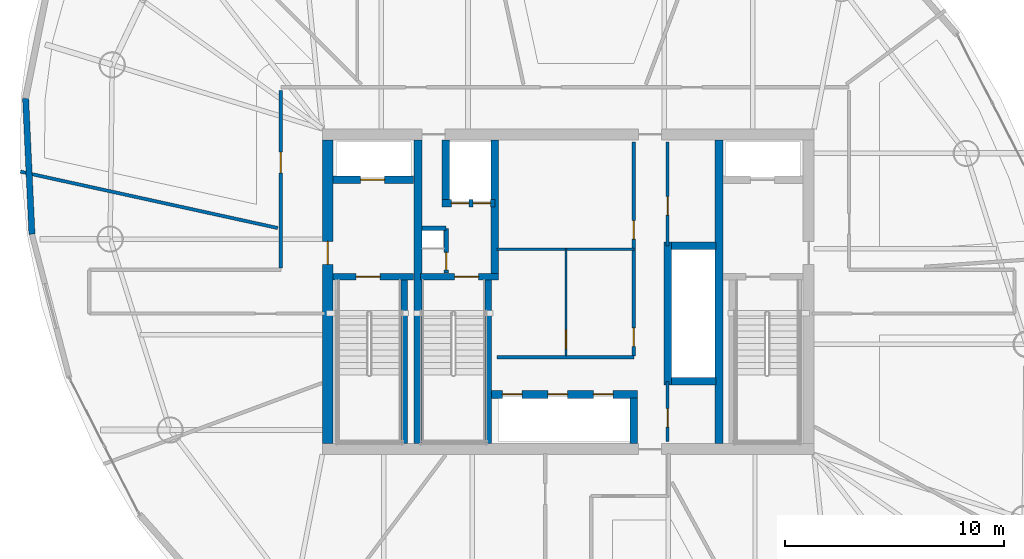
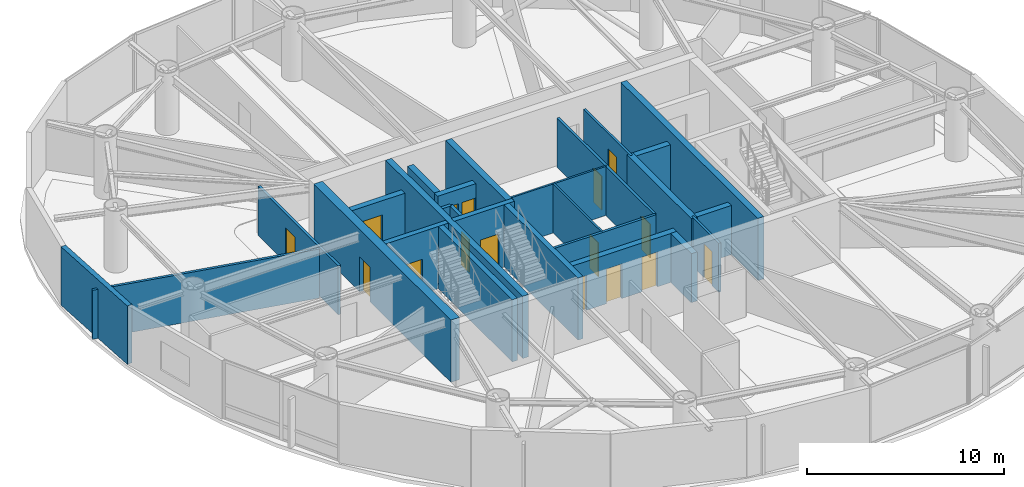
# One storey, part 18 of 23: 27 walls, 16 doors, 16 openings.
"""IFC4 building model written with IfcOpenShell, lengths in metres."""

from ifc_helpers import new_model, si_unit, direction, frame, frame_2d, origin, place, context, subcontext, project, spatial, rectangle, extrude, material, layer, layer_set, type_object, element, fill, save


model = new_model("IFC4")

# Units and contexts
model_context = context("Model", 3, precision=1e-05, world=origin(), true_north=direction((0.0, 1.0)))
body_context = subcontext(model_context, "Body", "Model", "MODEL_VIEW")
ifc_project = project(units=[si_unit("LENGTHUNIT", "METRE"), si_unit("AREAUNIT", "SQUARE_METRE"), si_unit("VOLUMEUNIT", "CUBIC_METRE"), si_unit("PLANEANGLEUNIT", "RADIAN"), si_unit("MASSUNIT", "GRAM", prefix="KILO")], contexts=[model_context])

# Site, building, storey
site_placement = place(None, origin())
site = spatial("IfcSite", under=ifc_project, at=site_placement, CompositionType="ELEMENT")
building_placement = place(site_placement, origin())
building = spatial("IfcBuilding", under=site, at=building_placement, Name="Bramvorn Convention Spire", CompositionType="ELEMENT")
storey_placement = place(building_placement, frame((0.0, 0.0, 194.300048828125)))
storey = spatial("IfcBuildingStorey", under=building, at=storey_placement, Name="L49", CompositionType="ELEMENT", Elevation=194.300048828125)

# Wall, opening, door
ifc_material_1 = material(Name="Concrete C50/60", Category="concrete")
ifc_layer_1 = layer(ifc_material_1, 0.5)
ifc_layer_set_1 = layer_set([ifc_layer_1], Name="Concrete C50/60 - WL-CORE-500")
wall_type_1 = type_object("IfcWallType", Name="WL-CORE-500", PredefinedType="SHEAR", material=ifc_layer_set_1)
wall_1_placement = place(storey_placement, frame((27.0, 19.050048828125, 0.0), z_axis=(0.0, 0.0, 1.0), x_axis=(0.0, 1.0, 0.0)))
wall_1 = element("IfcWall", 1, at=wall_1_placement, inside=storey, type_object=wall_type_1, Name="L49 West RC core shear wall", PredefinedType="SHEAR", context=body_context, shape_type="SweptSolid", body=[
    extrude(rectangle(XDim=13.89990234375, YDim=0.5, at=frame_2d((6.949951171875, 0.0))), origin(), (0.0, 0.0, 1.0), 3.849853515625),
])
opening_1_placement = place(wall_1_placement, frame((8.199951171875, 0.0, 0.0)))
opening_1 = element("IfcOpeningElement", 2, at=opening_1_placement, cuts=wall_1, Name="Opening DL-105", PredefinedType="OPENING", context=body_context, shape_type="SweptSolid", body=[
    extrude(rectangle(XDim=1.050048828125, YDim=2.14990234375, at=frame_2d((0.52490234375, 1.074951171875))), frame((0.0, 0.260009765625, 0.0), z_axis=(0.0, -1.0, 0.0), x_axis=(1.0, 0.0, 0.0)), (0.0, 0.0, 1.0), 0.52001953125),
])
ifc_material_2 = material(Name="Smoke-Sealed Fire Lobby Timber-Core Door", Category="wood")
door_type_1 = type_object("IfcDoorType", Name="DR-LOBBY-1050", OperationType="NOTDEFINED", PredefinedType="DOOR", material=ifc_material_2)
door_1_placement = place(opening_1_placement, origin())
door_1 = element("IfcDoor", 3, at=door_1_placement, inside=storey, type_object=door_type_1, Name="L49 West Firefighting Lobby corridor door", OperationType="SINGLE_SWING_RIGHT", OverallHeight=2.14990234375, OverallWidth=1.050048828125, PredefinedType="DOOR", context=body_context, shape_type="SweptSolid", body=[
    extrude(rectangle(XDim=1.050048828125, YDim=2.14990234375, at=frame_2d((0.52490234375, 1.074951171875))), frame((0.0, 0.02490234375, 0.0), z_axis=(0.0, -1.0, 0.0), x_axis=(1.0, 0.0, 0.0)), (0.0, 0.0, 1.0), 0.050048828125),
])
fill(opening_1, door_1)

# Walls
ifc_layer_2 = layer(ifc_material_1, 0.35009765625)
ifc_layer_set_2 = layer_set([ifc_layer_2], Name="Concrete C50/60 - WL-CORE-INT-350")
wall_type_2 = type_object("IfcWallType", Name="WL-CORE-INT-350", PredefinedType="SHEAR", material=ifc_layer_set_2)
for number, where, z_axis, x_axis, name in (
    (4, (31.1298828125, 19.050048828125, 0.0), (0.0, 0.0, 1.0), (0.0, 1.0, 0.0), "L49 West internal core shear web"),
    (5, (44.89990234375, 19.050048828125, 0.0), (0.0, 0.0, 1.0), (0.0, 1.0, 0.0), "L49 East internal core shear web"),
):
    element("IfcWall", number, at=place(storey_placement, frame(where, z_axis=z_axis, x_axis=x_axis)), inside=storey, type_object=wall_type_2, Name=name, PredefinedType="SHEAR", context=body_context, shape_type="SweptSolid", body=[
        extrude(rectangle(XDim=13.89990234375, YDim=0.35009765625, at=frame_2d((6.949951171875, 0.0))), origin(), (0.0, 0.0, 1.0), 3.849853515625),
    ])

# Wall, opening, door
wall_2_placement = place(storey_placement, frame((27.25, 31.1201171875, 0.0), z_axis=(0.0, 0.0, 1.0), x_axis=(1.0, 0.0, 0.0)))
wall_2 = element("IfcWall", 6, at=wall_2_placement, inside=storey, type_object=wall_type_2, Name="L49 FE1 shaft front wall", PredefinedType="SHEAR", context=body_context, shape_type="SweptSolid", body=[
    extrude(rectangle(XDim=3.669921875, YDim=0.35009765625, at=frame_2d((1.8349609375, 0.0))), origin(), (0.0, 0.0, 1.0), 3.034912109375),
])
opening_2_placement = place(wall_2_placement, frame((1.25, 0.0, 0.0)))
opening_2 = element("IfcOpeningElement", 7, at=opening_2_placement, cuts=wall_2, Name="Opening LD-110", PredefinedType="OPENING", context=body_context, shape_type="SweptSolid", body=[
    extrude(rectangle(XDim=1.10009765625, YDim=2.14990234375, at=frame_2d((0.550048828125, 1.074951171875))), frame((0.0, 0.18505859375, 0.0), z_axis=(0.0, -1.0, 0.0), x_axis=(1.0, 0.0, 0.0)), (0.0, 0.0, 1.0), 0.3701171875),
])
ifc_material_3 = material(Name="Firefighting & Service Lift Sliding Landing Door", Category="steel")
door_type_2 = type_object("IfcDoorType", Name="DR-LIFT-LD-1100", OperationType="NOTDEFINED", PredefinedType="DOOR", material=ifc_material_3)
door_2_placement = place(opening_2_placement, origin())
door_2 = element("IfcDoor", 8, at=door_2_placement, inside=storey, type_object=door_type_2, Name="L49 Lift FE1 Sliding Landing Door", OperationType="SLIDING_TO_LEFT", OverallHeight=2.14990234375, OverallWidth=1.10009765625, PredefinedType="DOOR", context=body_context, shape_type="SweptSolid", body=[
    extrude(rectangle(XDim=1.10009765625, YDim=2.14990234375, at=frame_2d((0.550048828125, 1.074951171875))), frame((0.0, 0.02490234375, 0.0), z_axis=(0.0, -1.0, 0.0), x_axis=(1.0, 0.0, 0.0)), (0.0, 0.0, 1.0), 0.050048828125),
])
fill(opening_2, door_2)

# Wall
wall_3_placement = place(storey_placement, frame((34.639892578125, 26.68994140625, 0.0), z_axis=(0.0, 0.0, 1.0), x_axis=(0.0, 1.0, 0.0)))
element("IfcWall", 9, at=wall_3_placement, inside=storey, type_object=wall_type_2, Name="L49 SV east core shaft wall", PredefinedType="SHEAR", context=body_context, shape_type="SweptSolid", body=[
    extrude(rectangle(XDim=6.260009765625, YDim=0.35009765625, at=frame_2d((3.1298828125, 0.0))), origin(), (0.0, 0.0, 1.0), 3.849853515625),
])

# Wall, openings, doors
wall_4_placement = place(storey_placement, frame((32.22998046875, 30.050048828125, 0.0), z_axis=(0.0, 0.0, 1.0), x_axis=(1.0, 0.0, 0.0)))
wall_4 = element("IfcWall", 10, at=wall_4_placement, inside=storey, type_object=wall_type_2, Name="L49 SV1/SV2 shaft front wall", PredefinedType="SHEAR", context=body_context, shape_type="SweptSolid", body=[
    extrude(rectangle(XDim=2.409912109375, YDim=0.35009765625, at=frame_2d((1.205078125, 0.0))), origin(), (0.0, 0.0, 1.0), 3.034912109375),
])
opening_3_placement = place(wall_4_placement, frame((0.419921875, 0.0, 0.0)))
opening_3 = element("IfcOpeningElement", 11, at=opening_3_placement, cuts=wall_4, Name="Opening LD-080", PredefinedType="OPENING", context=body_context, shape_type="SweptSolid", body=[
    extrude(rectangle(XDim=0.800048828125, YDim=2.14990234375, at=frame_2d((0.39990234375, 1.074951171875))), frame((0.0, 0.18505859375, 0.0), z_axis=(0.0, -1.0, 0.0), x_axis=(1.0, 0.0, 0.0)), (0.0, 0.0, 1.0), 0.3701171875),
])
opening_4_placement = place(wall_4_placement, frame((1.419921875, 0.0, 0.0)))
opening_4 = element("IfcOpeningElement", 12, at=opening_4_placement, cuts=wall_4, Name="Opening LD-080", PredefinedType="OPENING", context=body_context, shape_type="SweptSolid", body=[
    extrude(rectangle(XDim=0.800048828125, YDim=2.14990234375, at=frame_2d((0.39990234375, 1.074951171875))), frame((0.0, 0.18505859375, 0.0), z_axis=(0.0, -1.0, 0.0), x_axis=(1.0, 0.0, 0.0)), (0.0, 0.0, 1.0), 0.3701171875),
])
ifc_material_4 = material(Name="Service Lift Bi-Parting Landing Door", Category="steel")
door_type_3 = type_object("IfcDoorType", Name="DR-LIFT-LD-800", OperationType="NOTDEFINED", PredefinedType="DOOR", material=ifc_material_4)
door_3_placement = place(opening_3_placement, origin())
door_3 = element("IfcDoor", 13, at=door_3_placement, inside=storey, type_object=door_type_3, Name="L49 Lift SV1 Sliding Landing Door", OperationType="SLIDING_TO_LEFT", OverallHeight=2.14990234375, OverallWidth=0.800048828125, PredefinedType="DOOR", context=body_context, shape_type="SweptSolid", body=[
    extrude(rectangle(XDim=0.800048828125, YDim=2.14990234375, at=frame_2d((0.39990234375, 1.074951171875))), frame((0.0, 0.02490234375, 0.0), z_axis=(0.0, -1.0, 0.0), x_axis=(1.0, 0.0, 0.0)), (0.0, 0.0, 1.0), 0.050048828125),
])
fill(opening_3, door_3)
door_4_placement = place(opening_4_placement, origin())
door_4 = element("IfcDoor", 14, at=door_4_placement, inside=storey, type_object=door_type_3, Name="L49 Lift SV2 Sliding Landing Door", OperationType="SLIDING_TO_LEFT", OverallHeight=2.14990234375, OverallWidth=0.800048828125, PredefinedType="DOOR", context=body_context, shape_type="SweptSolid", body=[
    extrude(rectangle(XDim=0.800048828125, YDim=2.14990234375, at=frame_2d((0.39990234375, 1.074951171875))), frame((0.0, 0.02490234375, 0.0), z_axis=(0.0, -1.0, 0.0), x_axis=(1.0, 0.0, 0.0)), (0.0, 0.0, 1.0), 0.050048828125),
])
fill(opening_4, door_4)

# Walls
wall_5_placement = place(storey_placement, frame((32.39990234375, 30.219970703125, 0.0), z_axis=(0.0, 0.0, 1.0), x_axis=(0.0, 1.0, 0.0)))
element("IfcWall", 15, at=wall_5_placement, inside=storey, type_object=wall_type_2, Name="L49 SV1 west hoistway wall", PredefinedType="SHEAR", context=body_context, shape_type="SweptSolid", body=[
    extrude(rectangle(XDim=2.72998046875, YDim=0.35009765625, at=frame_2d((1.364990234375, 0.0))), origin(), (0.0, 0.0, 1.0), 3.034912109375),
])
wall_6_placement = place(storey_placement, frame((42.550048828125, 21.72998046875, 0.0), z_axis=(0.0, 0.0, 1.0), x_axis=(0.0, 1.0, 0.0)))
element("IfcWall", 16, at=wall_6_placement, inside=storey, type_object=wall_type_2, Name="L49 High-rise lift bank west wall", PredefinedType="SHEAR", context=body_context, shape_type="SweptSolid", body=[
    extrude(rectangle(XDim=6.5400390625, YDim=0.35009765625, at=frame_2d((3.27001953125, 0.0))), origin(), (0.0, 0.0, 1.0), 3.034912109375),
])
for number, where, z_axis, x_axis, name in (
    (17, (42.719970703125, 21.89990234375, 0.0), (0.0, 0.0, 1.0), (1.0, 0.0, 0.0), "L49 High-rise lift bank south wall"),
    (18, (42.719970703125, 28.10009765625, 0.0), (0.0, 0.0, 1.0), (1.0, 0.0, 0.0), "L49 High-rise lift bank north wall"),
):
    element("IfcWall", number, at=place(storey_placement, frame(where, z_axis=z_axis, x_axis=x_axis)), inside=storey, type_object=wall_type_2, Name=name, PredefinedType="SHEAR", context=body_context, shape_type="SweptSolid", body=[
        extrude(rectangle(XDim=2.030029296875, YDim=0.35009765625, at=frame_2d((1.01513671875, 0.0))), origin(), (0.0, 0.0, 1.0), 3.034912109375),
    ])

# Wall, openings, doors
wall_7_placement = place(storey_placement, frame((34.489990234375, 21.300048828125, 0.0), z_axis=(0.0, 0.0, 1.0), x_axis=(1.0, 0.0, 0.0)))
wall_7 = element("IfcWall", 19, at=wall_7_placement, inside=storey, type_object=wall_type_2, Name="L49 Mid-rise bank north landing wall", PredefinedType="SHEAR", context=body_context, shape_type="SweptSolid", body=[
    extrude(rectangle(XDim=6.679931640625, YDim=0.35009765625, at=frame_2d((3.33984375, 0.0))), origin(), (0.0, 0.0, 1.0), 3.034912109375),
])
opening_5_placement = place(wall_7_placement, frame((0.5, 0.0, 0.0)))
opening_5 = element("IfcOpeningElement", 20, at=opening_5_placement, cuts=wall_7, Name="Opening LD-090", PredefinedType="OPENING", context=body_context, shape_type="SweptSolid", body=[
    extrude(rectangle(XDim=0.89990234375, YDim=2.14990234375, at=frame_2d((0.449951171875, 1.074951171875))), frame((0.0, 0.18505859375, 0.0), z_axis=(0.0, -1.0, 0.0), x_axis=(1.0, 0.0, 0.0)), (0.0, 0.0, 1.0), 0.3701171875),
])
opening_6_placement = place(wall_7_placement, frame((2.580078125, 0.0, 0.0)))
opening_6 = element("IfcOpeningElement", 21, at=opening_6_placement, cuts=wall_7, Name="Opening LD-090", PredefinedType="OPENING", context=body_context, shape_type="SweptSolid", body=[
    extrude(rectangle(XDim=0.89990234375, YDim=2.14990234375, at=frame_2d((0.449951171875, 1.074951171875))), frame((0.0, 0.18505859375, 0.0), z_axis=(0.0, -1.0, 0.0), x_axis=(1.0, 0.0, 0.0)), (0.0, 0.0, 1.0), 0.3701171875),
])
opening_7_placement = place(wall_7_placement, frame((4.659912109375, 0.0, 0.0)))
opening_7 = element("IfcOpeningElement", 22, at=opening_7_placement, cuts=wall_7, Name="Opening LD-090", PredefinedType="OPENING", context=body_context, shape_type="SweptSolid", body=[
    extrude(rectangle(XDim=0.89990234375, YDim=2.14990234375, at=frame_2d((0.449951171875, 1.074951171875))), frame((0.0, 0.18505859375, 0.0), z_axis=(0.0, -1.0, 0.0), x_axis=(1.0, 0.0, 0.0)), (0.0, 0.0, 1.0), 0.3701171875),
])
ifc_material_5 = material(Name="Bi-Parting Fire-Rated Lift Landing Door", Category="steel")
door_type_4 = type_object("IfcDoorType", Name="DR-LIFT-LD-900", OperationType="NOTDEFINED", PredefinedType="DOOR", material=ifc_material_5)
door_5_placement = place(opening_5_placement, origin())
door_5 = element("IfcDoor", 23, at=door_5_placement, inside=storey, type_object=door_type_4, Name="L49 Lift PM1 Sliding Landing Door", OperationType="SLIDING_TO_LEFT", OverallHeight=2.14990234375, OverallWidth=0.89990234375, PredefinedType="DOOR", context=body_context, shape_type="SweptSolid", body=[
    extrude(rectangle(XDim=0.89990234375, YDim=2.14990234375, at=frame_2d((0.449951171875, 1.074951171875))), frame((0.0, 0.02490234375, 0.0), z_axis=(0.0, -1.0, 0.0), x_axis=(1.0, 0.0, 0.0)), (0.0, 0.0, 1.0), 0.050048828125),
])
fill(opening_5, door_5)
door_6_placement = place(opening_6_placement, origin())
door_6 = element("IfcDoor", 24, at=door_6_placement, inside=storey, type_object=door_type_4, Name="L49 Lift PM2 Sliding Landing Door", OperationType="SLIDING_TO_LEFT", OverallHeight=2.14990234375, OverallWidth=0.89990234375, PredefinedType="DOOR", context=body_context, shape_type="SweptSolid", body=[
    extrude(rectangle(XDim=0.89990234375, YDim=2.14990234375, at=frame_2d((0.449951171875, 1.074951171875))), frame((0.0, 0.02490234375, 0.0), z_axis=(0.0, -1.0, 0.0), x_axis=(1.0, 0.0, 0.0)), (0.0, 0.0, 1.0), 0.050048828125),
])
fill(opening_6, door_6)
door_7_placement = place(opening_7_placement, origin())
door_7 = element("IfcDoor", 25, at=door_7_placement, inside=storey, type_object=door_type_4, Name="L49 Lift PM3 Sliding Landing Door", OperationType="SLIDING_TO_LEFT", OverallHeight=2.14990234375, OverallWidth=0.89990234375, PredefinedType="DOOR", context=body_context, shape_type="SweptSolid", body=[
    extrude(rectangle(XDim=0.89990234375, YDim=2.14990234375, at=frame_2d((0.449951171875, 1.074951171875))), frame((0.0, 0.02490234375, 0.0), z_axis=(0.0, -1.0, 0.0), x_axis=(1.0, 0.0, 0.0)), (0.0, 0.0, 1.0), 0.050048828125),
])
fill(opening_7, door_7)

# Walls
wall_8_placement = place(storey_placement, frame((41.0, 19.050048828125, 0.0), z_axis=(0.0, 0.0, 1.0), x_axis=(0.0, 1.0, 0.0)))
element("IfcWall", 26, at=wall_8_placement, inside=storey, type_object=wall_type_2, Name="L49 Mid-rise bank east cheek wall", PredefinedType="SHEAR", context=body_context, shape_type="SweptSolid", body=[
    extrude(rectangle(XDim=2.079833984375, YDim=0.35009765625, at=frame_2d((1.0400390625, 0.0))), origin(), (0.0, 0.0, 1.0), 3.034912109375),
])
ifc_material_6 = material(Name="Precast Concrete C40/50 with Bronze Terracotta Rainscreen", Category="masonry")
ifc_layer_3 = layer(ifc_material_6, 0.300048828125)
ifc_layer_set_3 = layer_set([ifc_layer_3], Name="Precast Concrete C40/50 with Bronze Terracotta Rainscreen - WL-EXT-BRONZE-300")
wall_type_3 = type_object("IfcWallType", Name="WL-EXT-BRONZE-300", PredefinedType="SOLIDWALL", material=ifc_layer_set_3)
wall_9_placement = place(storey_placement, frame((13.466796875, 28.6298828125, 0.0), z_axis=(0.0, 0.0, 1.0), x_axis=(-0.046581504833, 0.998914492541, 0.0)))
element("IfcWall", 27, at=wall_9_placement, inside=storey, type_object=wall_type_3, Name="L49 expressed bronze Gothic lancet pier wall 15", PredefinedType="SOLIDWALL", context=body_context, shape_type="SweptSolid", body=[
    extrude(rectangle(XDim=6.2265625, YDim=0.280029296875, at=frame_2d((3.11328125, 0.0))), origin(), (0.0, 0.0, 1.0), 3.619873046875),
])
ifc_material_7 = material(Name="Lightweight En-Suite & Wet-Wall Partition", Category="gypsum")
ifc_layer_4 = layer(ifc_material_7, 0.110107421875)
ifc_layer_set_4 = layer_set([ifc_layer_4], Name="Lightweight En-Suite & Wet-Wall Partition - WL-PART-110")
wall_type_4 = type_object("IfcWallType", Name="WL-PART-110", PredefinedType="PARTITIONING", material=ifc_layer_set_4)
wall_10_placement = place(storey_placement, frame((34.75, 27.949951171875, 0.0), z_axis=(0.0, 0.0, 1.0), x_axis=(1.0, 0.0, 0.0)))
element("IfcWall", 28, at=wall_10_placement, inside=storey, type_object=wall_type_4, Name="L49 KA horizontal core divider", PredefinedType="PARTITIONING", context=body_context, shape_type="SweptSolid", body=[
    extrude(rectangle(XDim=6.25, YDim=0.110107421875, at=frame_2d((3.125, 0.0))), origin(), (0.0, 0.0, 1.0), 3.034912109375),
])

# Wall, opening, door
wall_11_placement = place(storey_placement, frame((37.89990234375, 23.050048828125, 0.0), z_axis=(0.0, 0.0, 1.0), x_axis=(0.0, 1.0, 0.0)))
wall_11 = element("IfcWall", 29, at=wall_11_placement, inside=storey, type_object=wall_type_4, Name="L49 KA restroom subwall", PredefinedType="PARTITIONING", context=body_context, shape_type="SweptSolid", body=[
    extrude(rectangle(XDim=4.89990234375, YDim=0.110107421875, at=frame_2d((2.449951171875, 0.0))), origin(), (0.0, 0.0, 1.0), 3.034912109375),
])
opening_8_placement = place(wall_11_placement, frame((0.35009765625, 0.0, 0.0)))
opening_8 = element("IfcOpeningElement", 30, at=opening_8_placement, cuts=wall_11, Name="Opening DC-085", PredefinedType="OPENING", context=body_context, shape_type="SweptSolid", body=[
    extrude(rectangle(XDim=0.85009765625, YDim=2.10009765625, at=frame_2d((0.425048828125, 1.050048828125))), frame((0.0, 0.06494140625, 0.0), z_axis=(0.0, -1.0, 0.0), x_axis=(1.0, 0.0, 0.0)), (0.0, 0.0, 1.0), 0.130126953125),
])
ifc_material_8 = material(Name="Fire-Rated Core Washroom & IDF Door", Category="wood")
door_type_5 = type_object("IfcDoorType", Name="DR-CORE-850", OperationType="NOTDEFINED", PredefinedType="DOOR", material=ifc_material_8)
door_8_placement = place(opening_8_placement, origin())
door_8 = element("IfcDoor", 31, at=door_8_placement, inside=storey, type_object=door_type_5, Name="L49 Core IT Closet door", OperationType="SINGLE_SWING_LEFT", OverallHeight=2.10009765625, OverallWidth=0.85009765625, PredefinedType="DOOR", context=body_context, shape_type="SweptSolid", body=[
    extrude(rectangle(XDim=0.85009765625, YDim=2.10009765625, at=frame_2d((0.425048828125, 1.050048828125))), frame((0.0, 0.02490234375, 0.0), z_axis=(0.0, -1.0, 0.0), x_axis=(1.0, 0.0, 0.0)), (0.0, 0.0, 1.0), 0.050048828125),
])
fill(opening_8, door_8)

ifc_material_9 = material(Name="Metal-Stud Demountable Office Partition", Category="gypsum")
ifc_layer_5 = layer(ifc_material_9, 0.1298828125)
ifc_layer_set_5 = layer_set([ifc_layer_5], Name="Metal-Stud Demountable Office Partition - WL-PART-130")
wall_type_5 = type_object("IfcWallType", Name="WL-PART-130", PredefinedType="PARTITIONING", material=ifc_layer_set_5)
wall_12_placement = place(storey_placement, frame((42.550048828125, 28.10009765625, 0.0), z_axis=(0.0, 0.0, 1.0), x_axis=(0.0, 1.0, 0.0)))
wall_12 = element("IfcWall", 32, at=wall_12_placement, inside=storey, type_object=wall_type_5, Name="L49 KA NE IDF wall", PredefinedType="PARTITIONING", context=body_context, shape_type="SweptSolid", body=[
    extrude(rectangle(XDim=4.75, YDim=0.1298828125, at=frame_2d((2.375, 0.0))), origin(), (0.0, 0.0, 1.0), 3.034912109375),
])
opening_9_placement = place(wall_12_placement, frame((1.39990234375, 0.0, 0.0)))
opening_9 = element("IfcOpeningElement", 33, at=opening_9_placement, cuts=wall_12, Name="Opening DC-085", PredefinedType="OPENING", context=body_context, shape_type="SweptSolid", body=[
    extrude(rectangle(XDim=0.85009765625, YDim=2.10009765625, at=frame_2d((0.425048828125, 1.050048828125))), frame((0.0, 0.074951171875, 0.0), z_axis=(0.0, -1.0, 0.0), x_axis=(1.0, 0.0, 0.0)), (0.0, 0.0, 1.0), 0.14990234375),
])
door_9_placement = place(opening_9_placement, origin())
door_9 = element("IfcDoor", 34, at=door_9_placement, inside=storey, type_object=door_type_5, Name="L49 Core IDF & BMS Room door", OperationType="SINGLE_SWING_LEFT", OverallHeight=2.10009765625, OverallWidth=0.85009765625, PredefinedType="DOOR", context=body_context, shape_type="SweptSolid", body=[
    extrude(rectangle(XDim=0.85009765625, YDim=2.10009765625, at=frame_2d((0.425048828125, 1.050048828125))), frame((0.0, 0.02490234375, 0.0), z_axis=(0.0, -1.0, 0.0), x_axis=(1.0, 0.0, 0.0)), (0.0, 0.0, 1.0), 0.050048828125),
])
fill(opening_9, door_9)

wall_13_placement = place(storey_placement, frame((42.550048828125, 19.14990234375, 0.0), z_axis=(0.0, 0.0, 1.0), x_axis=(0.0, 1.0, 0.0)))
wall_13 = element("IfcWall", 35, at=wall_13_placement, inside=storey, type_object=wall_type_5, Name="L49 KA SE store wall", PredefinedType="PARTITIONING", context=body_context, shape_type="SweptSolid", body=[
    extrude(rectangle(XDim=2.75, YDim=0.1298828125, at=frame_2d((1.375, 0.0))), origin(), (0.0, 0.0, 1.0), 3.034912109375),
])
opening_10_placement = place(wall_13_placement, frame((0.64990234375, 0.0, 0.0)))
opening_10 = element("IfcOpeningElement", 36, at=opening_10_placement, cuts=wall_13, Name="Opening DC-085", PredefinedType="OPENING", context=body_context, shape_type="SweptSolid", body=[
    extrude(rectangle(XDim=0.85009765625, YDim=2.10009765625, at=frame_2d((0.425048828125, 1.050048828125))), frame((0.0, 0.074951171875, 0.0), z_axis=(0.0, -1.0, 0.0), x_axis=(1.0, 0.0, 0.0)), (0.0, 0.0, 1.0), 0.14990234375),
])
door_10_placement = place(opening_10_placement, origin())
door_10 = element("IfcDoor", 37, at=door_10_placement, inside=storey, type_object=door_type_5, Name="L49 Tenant Pantry & Copy Centre door", OperationType="SINGLE_SWING_LEFT", OverallHeight=2.10009765625, OverallWidth=0.85009765625, PredefinedType="DOOR", context=body_context, shape_type="SweptSolid", body=[
    extrude(rectangle(XDim=0.85009765625, YDim=2.10009765625, at=frame_2d((0.425048828125, 1.050048828125))), frame((0.0, 0.02490234375, 0.0), z_axis=(0.0, -1.0, 0.0), x_axis=(1.0, 0.0, 0.0)), (0.0, 0.0, 1.0), 0.050048828125),
])
fill(opening_10, door_10)

# Wall
ifc_material_10 = material(Name="Acoustic Metal-Stud Tenant/Corridor Partition", Category="gypsum")
ifc_layer_6 = layer(ifc_material_10, 0.14990234375)
ifc_layer_set_6 = layer_set([ifc_layer_6], Name="Acoustic Metal-Stud Tenant/Corridor Partition - WL-PART-150")
wall_type_6 = type_object("IfcWallType", Name="WL-PART-150", PredefinedType="PARTITIONING", material=ifc_layer_set_6)
wall_14_placement = place(storey_placement, frame((34.75, 23.0, 0.0), z_axis=(0.0, 0.0, 1.0), x_axis=(1.0, 0.0, 0.0)))
element("IfcWall", 38, at=wall_14_placement, inside=storey, type_object=wall_type_6, Name="L49 Mid-rise lift vestibule north wall", PredefinedType="PARTITIONING", context=body_context, shape_type="SweptSolid", body=[
    extrude(rectangle(XDim=6.25, YDim=0.14990234375, at=frame_2d((3.125, 0.0))), origin(), (0.0, 0.0, 1.0), 3.034912109375),
])

# Wall, openings, doors
wall_15_placement = place(storey_placement, frame((41.0, 23.050048828125, 0.0), z_axis=(0.0, 0.0, 1.0), x_axis=(0.0, 1.0, 0.0)))
wall_15 = element("IfcWall", 39, at=wall_15_placement, inside=storey, type_object=wall_type_6, Name="L49 KA east core wall", PredefinedType="PARTITIONING", context=body_context, shape_type="SweptSolid", body=[
    extrude(rectangle(XDim=9.800048828125, YDim=0.14990234375, at=frame_2d((4.89990234375, 0.0))), origin(), (0.0, 0.0, 1.0), 3.034912109375),
])
opening_11_placement = place(wall_15_placement, frame((5.35009765625, 0.0, 0.0)))
opening_11 = element("IfcOpeningElement", 40, at=opening_11_placement, cuts=wall_15, Name="Opening DC-085", PredefinedType="OPENING", context=body_context, shape_type="SweptSolid", body=[
    extrude(rectangle(XDim=0.85009765625, YDim=2.10009765625, at=frame_2d((0.425048828125, 1.050048828125))), frame((0.0, 0.0849609375, 0.0), z_axis=(0.0, -1.0, 0.0), x_axis=(1.0, 0.0, 0.0)), (0.0, 0.0, 1.0), 0.169921875),
])
opening_12_placement = place(wall_15_placement, frame((0.449951171875, 0.0, 0.0)))
opening_12 = element("IfcOpeningElement", 41, at=opening_12_placement, cuts=wall_15, Name="Opening DC-085", PredefinedType="OPENING", context=body_context, shape_type="SweptSolid", body=[
    extrude(rectangle(XDim=0.85009765625, YDim=2.10009765625, at=frame_2d((0.425048828125, 1.050048828125))), frame((0.0, 0.0849609375, 0.0), z_axis=(0.0, -1.0, 0.0), x_axis=(1.0, 0.0, 0.0)), (0.0, 0.0, 1.0), 0.169921875),
])
door_11_placement = place(opening_11_placement, origin())
door_11 = element("IfcDoor", 42, at=door_11_placement, inside=storey, type_object=door_type_5, Name="L49 Core Linen & Equipment Store door", OperationType="SINGLE_SWING_LEFT", OverallHeight=2.10009765625, OverallWidth=0.85009765625, PredefinedType="DOOR", context=body_context, shape_type="SweptSolid", body=[
    extrude(rectangle(XDim=0.85009765625, YDim=2.10009765625, at=frame_2d((0.425048828125, 1.050048828125))), frame((0.0, 0.02490234375, 0.0), z_axis=(0.0, -1.0, 0.0), x_axis=(1.0, 0.0, 0.0)), (0.0, 0.0, 1.0), 0.050048828125),
])
fill(opening_11, door_11)
door_12_placement = place(opening_12_placement, origin())
door_12 = element("IfcDoor", 43, at=door_12_placement, inside=storey, type_object=door_type_5, Name="L49 Accessible Core Restroom door", OperationType="SINGLE_SWING_LEFT", OverallHeight=2.10009765625, OverallWidth=0.85009765625, PredefinedType="DOOR", context=body_context, shape_type="SweptSolid", body=[
    extrude(rectangle(XDim=0.85009765625, YDim=2.10009765625, at=frame_2d((0.425048828125, 1.050048828125))), frame((0.0, 0.02490234375, 0.0), z_axis=(0.0, -1.0, 0.0), x_axis=(1.0, 0.0, 0.0)), (0.0, 0.0, 1.0), 0.050048828125),
])
fill(opening_12, door_12)

# Wall, opening, door
wall_16_placement = place(storey_placement, frame((24.85009765625, 27.080078125, 0.0), z_axis=(0.0, 0.0, 1.0), x_axis=(0.0, 1.0, 0.0)))
wall_16 = element("IfcWall", 44, at=wall_16_placement, inside=storey, type_object=wall_type_6, Name="L49 NW gallery cheek", PredefinedType="PARTITIONING", context=body_context, shape_type="SweptSolid", body=[
    extrude(rectangle(XDim=8.119873046875, YDim=0.14990234375, at=frame_2d((4.06005859375, 0.0))), origin(), (0.0, 0.0, 1.0), 3.034912109375),
])
opening_13_placement = place(wall_16_placement, frame((4.35107421875, 0.0, 0.0)))
opening_13 = element("IfcOpeningElement", 45, at=opening_13_placement, cuts=wall_16, Name="Opening DH-095", PredefinedType="OPENING", context=body_context, shape_type="SweptSolid", body=[
    extrude(rectangle(XDim=0.949951171875, YDim=2.14990234375, at=frame_2d((0.47509765625, 1.074951171875))), frame((0.0, 0.0849609375, 0.0), z_axis=(0.0, -1.0, 0.0), x_axis=(1.0, 0.0, 0.0)), (0.0, 0.0, 1.0), 0.169921875),
])
ifc_material_11 = material(Name="Solid-Core Acoustic Guestroom Entry Door", Category="wood")
door_type_6 = type_object("IfcDoorType", Name="DR-HOTEL-950", OperationType="NOTDEFINED", PredefinedType="DOOR", material=ifc_material_11)
door_13_placement = place(opening_13_placement, origin())
door_13 = element("IfcDoor", 46, at=door_13_placement, inside=storey, type_object=door_type_6, Name="L49 Partner Private Office 2 5 door", OperationType="SINGLE_SWING_LEFT", OverallHeight=2.14990234375, OverallWidth=0.949951171875, PredefinedType="DOOR", context=body_context, shape_type="SweptSolid", body=[
    extrude(rectangle(XDim=0.949951171875, YDim=2.14990234375, at=frame_2d((0.47509765625, 1.074951171875))), frame((0.0, 0.02490234375, 0.0), z_axis=(0.0, -1.0, 0.0), x_axis=(1.0, 0.0, 0.0)), (0.0, 0.0, 1.0), 0.050048828125),
])
fill(opening_13, door_13)

# Wall
wall_17_placement = place(storey_placement, frame((24.7099609375, 28.9130859375, 0.0), z_axis=(0.0, 0.0, 1.0), x_axis=(-0.976806374433, 0.214124512534, 0.0)))
element("IfcWall", 47, at=wall_17_placement, inside=storey, type_object=wall_type_6, Name="L49 Tenant suite partition 6", PredefinedType="PARTITIONING", context=body_context, shape_type="SweptSolid", body=[
    extrude(rectangle(XDim=12.053955078125, YDim=0.14990234375, at=frame_2d((6.02685546875, 0.0))), origin(), (0.0, 0.0, 1.0), 3.034912109375),
])

# Wall, opening, door
ifc_material_12 = material(Name="Gypsum Shaftwall & Rockwool Core Partition", Category="gypsum")
ifc_layer_7 = layer(ifc_material_12, 0.199951171875)
ifc_layer_set_7 = layer_set([ifc_layer_7], Name="Gypsum Shaftwall & Rockwool Core Partition - WL-PART-200-FR")
wall_type_7 = type_object("IfcWallType", Name="WL-PART-200-FR", PredefinedType="PARTITIONING", material=ifc_layer_set_7)
wall_18_placement = place(storey_placement, frame((32.419921875, 26.860107421875, 0.0), z_axis=(0.0, 0.0, 1.0), x_axis=(0.0, 1.0, 0.0)))
wall_18 = element("IfcWall", 48, at=wall_18_placement, inside=storey, type_object=wall_type_7, Name="L49 Telecom riser east wall", PredefinedType="PARTITIONING", context=body_context, shape_type="SweptSolid", body=[
    extrude(rectangle(XDim=2.039794921875, YDim=0.199951171875, at=frame_2d((1.02001953125, 0.0))), origin(), (0.0, 0.0, 1.0), 3.034912109375),
])
opening_14_placement = place(wall_18_placement, frame((0.139892578125, 0.0, 0.0)))
opening_14 = element("IfcOpeningElement", 49, at=opening_14_placement, cuts=wall_18, Name="Opening DR-080", PredefinedType="OPENING", context=body_context, shape_type="SweptSolid", body=[
    extrude(rectangle(XDim=0.800048828125, YDim=2.050048828125, at=frame_2d((0.39990234375, 1.02490234375))), frame((0.0, 0.10986328125, 0.0), z_axis=(0.0, -1.0, 0.0), x_axis=(1.0, 0.0, 0.0)), (0.0, 0.0, 1.0), 0.219970703125),
])
ifc_material_13 = material(Name="Flush Steel Riser Access Door", Category="steel")
door_type_7 = type_object("IfcDoorType", Name="DR-RISER-800", OperationType="NOTDEFINED", PredefinedType="DOOR", material=ifc_material_13)
door_14_placement = place(opening_14_placement, origin())
door_14 = element("IfcDoor", 50, at=door_14_placement, inside=storey, type_object=door_type_7, Name="L49 Telecom riser access door", OperationType="SINGLE_SWING_RIGHT", OverallHeight=2.050048828125, OverallWidth=0.800048828125, PredefinedType="DOOR", context=body_context, shape_type="SweptSolid", body=[
    extrude(rectangle(XDim=0.800048828125, YDim=2.050048828125, at=frame_2d((0.39990234375, 1.02490234375))), frame((0.0, 0.02490234375, 0.0), z_axis=(0.0, -1.0, 0.0), x_axis=(1.0, 0.0, 0.0)), (0.0, 0.0, 1.0), 0.050048828125),
])
fill(opening_14, door_14)

# Wall
wall_19_placement = place(storey_placement, frame((31.300048828125, 28.89990234375, 0.0), z_axis=(0.0, 0.0, 1.0), x_axis=(1.0, 0.0, 0.0)))
element("IfcWall", 51, at=wall_19_placement, inside=storey, type_object=wall_type_7, Name="L49 Telecom riser north wall", PredefinedType="PARTITIONING", context=body_context, shape_type="SweptSolid", body=[
    extrude(rectangle(XDim=1.119873046875, YDim=0.199951171875, at=frame_2d((0.56005859375, 0.0))), origin(), (0.0, 0.0, 1.0), 3.034912109375),
])

# Wall, opening, door
ifc_layer_8 = layer(ifc_material_1, 0.300048828125)
ifc_layer_set_8 = layer_set([ifc_layer_8], Name="Concrete C50/60 - WL-POD-STAIR-300")
wall_type_8 = type_object("IfcWallType", Name="WL-POD-STAIR-300", PredefinedType="SHEAR", material=ifc_layer_set_8)
wall_20_placement = place(storey_placement, frame((27.25, 26.68994140625, 0.0), z_axis=(0.0, 0.0, 1.0), x_axis=(1.0, 0.0, 0.0)))
wall_20 = element("IfcWall", 52, at=wall_20_placement, inside=storey, type_object=wall_type_8, Name="L49 ST1 north fire wall", PredefinedType="SHEAR", context=body_context, shape_type="SweptSolid", body=[
    extrude(rectangle(XDim=3.669921875, YDim=0.300048828125, at=frame_2d((1.8349609375, 0.0))), origin(), (0.0, 0.0, 1.0), 3.849853515625),
])
opening_15_placement = place(wall_20_placement, frame((1.050048828125, 0.0, 0.0)))
opening_15 = element("IfcOpeningElement", 53, at=opening_15_placement, cuts=wall_20, Name="Opening DS-110", PredefinedType="OPENING", context=body_context, shape_type="SweptSolid", body=[
    extrude(rectangle(XDim=1.10009765625, YDim=2.14990234375, at=frame_2d((0.550048828125, 1.074951171875))), frame((0.0, 0.159912109375, 0.0), z_axis=(0.0, -1.0, 0.0), x_axis=(1.0, 0.0, 0.0)), (0.0, 0.0, 1.0), 0.320068359375),
])
ifc_material_14 = material(Name="Fire-Rated Hollow Steel Stairwell Door", Category="steel")
door_type_8 = type_object("IfcDoorType", Name="DR-STAIR-1100", OperationType="NOTDEFINED", PredefinedType="DOOR", material=ifc_material_14)
door_15_placement = place(opening_15_placement, origin())
door_15 = element("IfcDoor", 54, at=door_15_placement, inside=storey, type_object=door_type_8, Name="L49 Stair ST1 fire door", OperationType="SINGLE_SWING_LEFT", OverallHeight=2.14990234375, OverallWidth=1.10009765625, PredefinedType="DOOR", context=body_context, shape_type="SweptSolid", body=[
    extrude(rectangle(XDim=1.10009765625, YDim=2.14990234375, at=frame_2d((0.550048828125, 1.074951171875))), frame((0.0, 0.02490234375, 0.0), z_axis=(0.0, -1.0, 0.0), x_axis=(1.0, 0.0, 0.0)), (0.0, 0.0, 1.0), 0.050048828125),
])
fill(opening_15, door_15)

# Walls
for number, where, z_axis, x_axis, name in (
    (55, (30.489990234375, 19.050048828125, 0.0), (0.0, 0.0, 1.0), (0.0, 1.0, 0.0), "L49 ST1 east bearing wall"),
    (56, (34.340087890625, 19.050048828125, 0.0), (0.0, 0.0, 1.0), (0.0, 1.0, 0.0), "L49 ST3 east bearing wall"),
):
    element("IfcWall", number, at=place(storey_placement, frame(where, z_axis=z_axis, x_axis=x_axis)), inside=storey, type_object=wall_type_8, Name=name, PredefinedType="SHEAR", context=body_context, shape_type="SweptSolid", body=[
        extrude(rectangle(XDim=7.5, YDim=0.300048828125, at=frame_2d((3.75, 0.0))), origin(), (0.0, 0.0, 1.0), 3.849853515625),
    ])

# Wall, opening, door
wall_21_placement = place(storey_placement, frame((31.25, 26.68994140625, 0.0), z_axis=(0.0, 0.0, 1.0), x_axis=(1.0, 0.0, 0.0)))
wall_21 = element("IfcWall", 57, at=wall_21_placement, inside=storey, type_object=wall_type_8, Name="L49 ST3 north lobby wall", PredefinedType="SHEAR", context=body_context, shape_type="SweptSolid", body=[
    extrude(rectangle(XDim=3.56005859375, YDim=0.300048828125, at=frame_2d((1.780029296875, 0.0))), origin(), (0.0, 0.0, 1.0), 3.849853515625),
])
opening_16_placement = place(wall_21_placement, frame((1.550048828125, 0.0, 0.0)))
opening_16 = element("IfcOpeningElement", 58, at=opening_16_placement, cuts=wall_21, Name="Opening DS-110", PredefinedType="OPENING", context=body_context, shape_type="SweptSolid", body=[
    extrude(rectangle(XDim=1.10009765625, YDim=2.14990234375, at=frame_2d((0.550048828125, 1.074951171875))), frame((0.0, 0.159912109375, 0.0), z_axis=(0.0, -1.0, 0.0), x_axis=(1.0, 0.0, 0.0)), (0.0, 0.0, 1.0), 0.320068359375),
])
door_16_placement = place(opening_16_placement, origin())
door_16 = element("IfcDoor", 59, at=door_16_placement, inside=storey, type_object=door_type_8, Name="L49 Stair ST3 fire door", OperationType="SINGLE_SWING_LEFT", OverallHeight=2.14990234375, OverallWidth=1.10009765625, PredefinedType="DOOR", context=body_context, shape_type="SweptSolid", body=[
    extrude(rectangle(XDim=1.10009765625, YDim=2.14990234375, at=frame_2d((0.550048828125, 1.074951171875))), frame((0.0, 0.02490234375, 0.0), z_axis=(0.0, -1.0, 0.0), x_axis=(1.0, 0.0, 0.0)), (0.0, 0.0, 1.0), 0.050048828125),
])
fill(opening_16, door_16)

save(model, "model.ifc")
